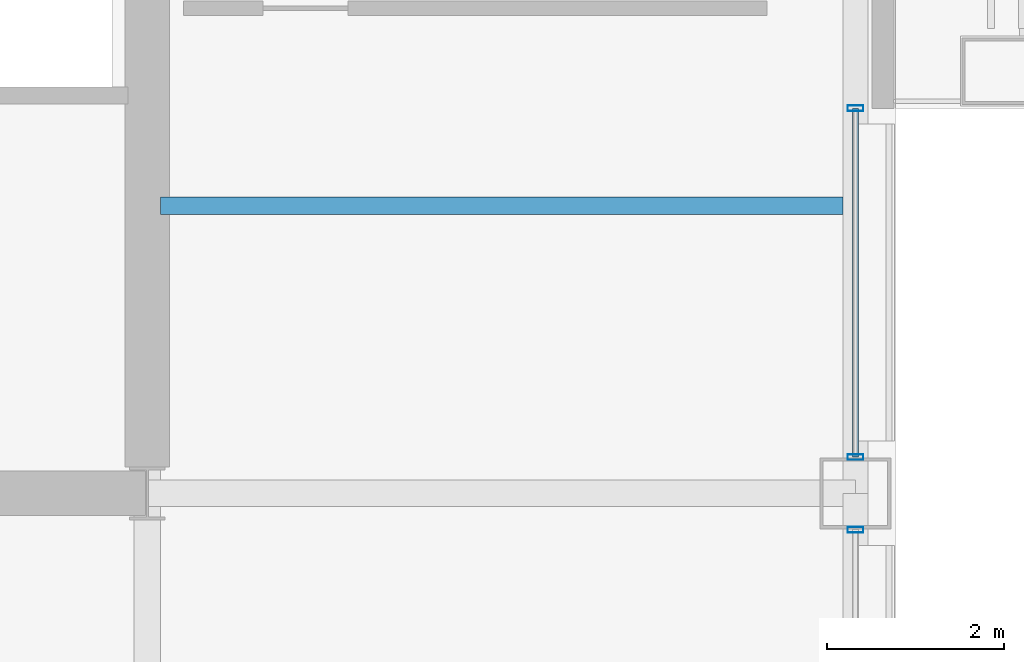
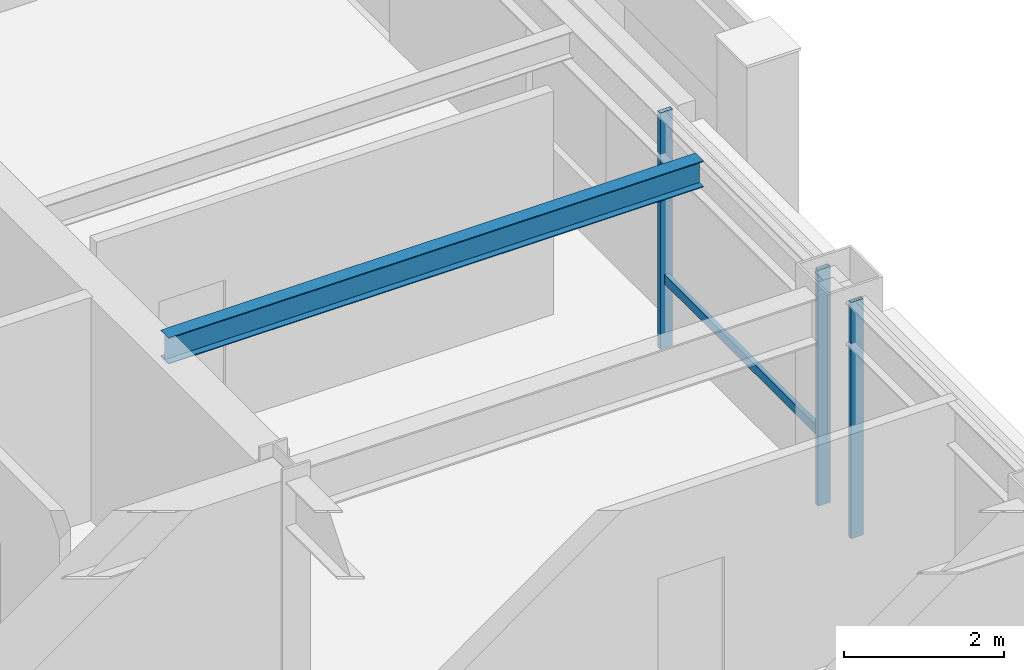
# One storey, part 14 of 29: 4 members, 1 beam, 2 elements without a shape of their own.
"""IFC4 building model written with IfcOpenShell, lengths in metres."""

from ifc_helpers import new_model, si_unit, direction, frame, origin, origin_2d, place, context, subcontext, project, spatial, hollow_rectangle, i_section, extrude, material, layer, layer_set, material_profile, profile_set, type_object, element, aggregate, save


model = new_model("IFC4")

# Units and contexts
model_context = context("Model", 3, precision=1e-05, world=origin(), true_north=direction((0.0, 1.0)))
body_context = subcontext(model_context, "Body", "Model", "MODEL_VIEW")
ifc_project = project(units=[si_unit("LENGTHUNIT", "METRE"), si_unit("AREAUNIT", "SQUARE_METRE"), si_unit("VOLUMEUNIT", "CUBIC_METRE"), si_unit("PLANEANGLEUNIT", "RADIAN"), si_unit("MASSUNIT", "GRAM", prefix="KILO")], contexts=[model_context])

# Site, building, storey
site_placement = place(None, origin())
site = spatial("IfcSite", under=ifc_project, at=site_placement, CompositionType="ELEMENT")
building_placement = place(site_placement, origin())
building = spatial("IfcBuilding", under=site, at=building_placement, Name="Brelmoor Portico Tower", CompositionType="ELEMENT")
storey_placement = place(building_placement, frame((0.0, 0.0, 124.199951171875)))
storey = spatial("IfcBuildingStorey", under=building, at=storey_placement, Name="L32", CompositionType="ELEMENT", Elevation=124.199951171875)

# Beam
ifc_material_1 = material(Name="Steel Q355B", Category="steel")
ifc_material_profile_1 = material_profile(ifc_material_1, i_section(OverallWidth=0.199951171875, OverallDepth=0.39990234375, WebThickness=0.008056640625, FlangeThickness=0.012939453125, at=origin_2d()), Name="HN 400x200x8x13")
ifc_profile_set_1 = profile_set([ifc_material_profile_1], Name="Steel Q355B")
beam_type = type_object("IfcBeamType", Name="BM-JS-400", PredefinedType="JOIST", material=ifc_profile_set_1)
beam_placement = place(storey_placement, frame((14.699951171875, -6.5, 3.199951171875), z_axis=(1.0, 0.0, 0.0), x_axis=(0.0, 1.0, 0.0)))
element("IfcBeam", 1, at=beam_placement, inside=storey, type_object=beam_type, Name="L32 Secondary Wing Joist JS-E09", PredefinedType="JOIST", context=body_context, shape_type="SweptSolid", body=[
    extrude(i_section(OverallWidth=0.199951171875, OverallDepth=0.39990234375, WebThickness=0.008056640625, FlangeThickness=0.012939453125, at=origin_2d()), origin(), (0.0, 0.0, 1.0), 7.7099609375),
])

# Curtain wall, member
ifc_material_2 = material(Name="Anodised Aluminium Alloy 6063-T6", Category="aluminium")
ifc_layer_1 = layer(ifc_material_2, 0.179931640625)
ifc_layer_set_1 = layer_set([ifc_layer_1], Name="Anodised Aluminium Alloy 6063-T6")
curtain_wall_type_1 = type_object("IfcCurtainWallType", Name="CW-TOWER-Z2-XB", PredefinedType="NOTDEFINED", material=ifc_layer_set_1)
curtain_wall_1_placement = place(storey_placement, origin())
curtain_wall_1 = element("IfcCurtainWall", 2, at=curtain_wall_1_placement, inside=storey, type_object=curtain_wall_type_1, Name="L32 Curtain Wall CW-L32-4L-1", PredefinedType="NOTDEFINED")
ifc_material_profile_2 = material_profile(ifc_material_2, hollow_rectangle(XDim=0.06494140625, YDim=0.179931640625, WallThickness=0.00390625, at=origin_2d()), Name="ALU MULLION 65x180")
ifc_profile_set_2 = profile_set([ifc_material_profile_2], Name="Anodised Aluminium Alloy 6063-T6")
member_type_1 = type_object("IfcMemberType", Name="MB-CW-MULL-180", PredefinedType="MULLION", material=ifc_profile_set_2)
member_1_placement = place(storey_placement, frame((22.550048828125, -10.159912109375, -0.199951171875), z_axis=(0.0, 0.0, 1.0), x_axis=(0.0, 1.0, 0.0)))
member_1 = element("IfcMember", 3, at=member_1_placement, type_object=member_type_1, Name="CW-L32-4L-1 Mullion 01", PredefinedType="MULLION", context=body_context, shape_type="SweptSolid", body=[
    extrude(hollow_rectangle(XDim=0.06494140625, YDim=0.179931640625, WallThickness=0.00390625, at=origin_2d()), origin(), (0.0, 0.0, 1.0), 3.60009765625),
])
aggregate(curtain_wall_1, [member_1])

# Curtain wall, members
ifc_layer_2 = layer(ifc_material_2, 0.179931640625)
ifc_layer_set_2 = layer_set([ifc_layer_2], Name="Anodised Aluminium Alloy 6063-T6")
curtain_wall_type_2 = type_object("IfcCurtainWallType", Name="CW-TOWER-Z2", PredefinedType="NOTDEFINED", material=ifc_layer_set_2)
curtain_wall_2_placement = place(storey_placement, origin())
curtain_wall_2 = element("IfcCurtainWall", 4, at=curtain_wall_2_placement, inside=storey, type_object=curtain_wall_type_2, Name="L32 Curtain Wall CW-L32-4L-2", PredefinedType="NOTDEFINED")
member_2_placement = place(storey_placement, frame((22.550048828125, -9.340087890625, -0.199951171875), z_axis=(0.0, 0.0, 1.0), x_axis=(0.0, 1.0, 0.0)))
member_2 = element("IfcMember", 5, at=member_2_placement, type_object=member_type_1, Name="CW-L32-4L-2 Mullion 00", PredefinedType="MULLION", context=body_context, shape_type="SweptSolid", body=[
    extrude(hollow_rectangle(XDim=0.06494140625, YDim=0.179931640625, WallThickness=0.00390625, at=origin_2d()), origin(), (0.0, 0.0, 1.0), 3.60009765625),
])
member_3_placement = place(storey_placement, frame((22.550048828125, -5.39990234375, -0.199951171875), z_axis=(0.0, 0.0, 1.0), x_axis=(0.0, 1.0, 0.0)))
member_3 = element("IfcMember", 6, at=member_3_placement, type_object=member_type_1, Name="CW-L32-4L-2 Mullion 01", PredefinedType="MULLION", context=body_context, shape_type="SweptSolid", body=[
    extrude(hollow_rectangle(XDim=0.06494140625, YDim=0.179931640625, WallThickness=0.00390625, at=origin_2d()), origin(), (0.0, 0.0, 1.0), 3.60009765625),
])
ifc_material_profile_3 = material_profile(ifc_material_2, hollow_rectangle(XDim=0.06494140625, YDim=0.139892578125, WallThickness=0.00390625, at=origin_2d()), Name="ALU TRANSOM 65x140")
ifc_profile_set_3 = profile_set([ifc_material_profile_3], Name="Anodised Aluminium Alloy 6063-T6")
member_type_2 = type_object("IfcMemberType", Name="MB-CW-TRAN-140", PredefinedType="USERDEFINED", material=ifc_profile_set_3)
member_4_placement = place(storey_placement, frame((22.550048828125, -9.340087890625, 0.85009765625), z_axis=(0.0, 1.0, 0.0), x_axis=(-1.0, 0.0, 0.0)))
member_4 = element("IfcMember", 7, at=member_4_placement, type_object=member_type_2, Name="CW-L32-4L-2 Transom 1-00", ObjectType="TRANSOM", PredefinedType="USERDEFINED", context=body_context, shape_type="SweptSolid", body=[
    extrude(hollow_rectangle(XDim=0.06494140625, YDim=0.139892578125, WallThickness=0.00390625, at=origin_2d()), origin(), (0.0, 0.0, 1.0), 3.940185546875),
])
aggregate(curtain_wall_2, [member_2, member_3, member_4])

save(model, "model.ifc")
